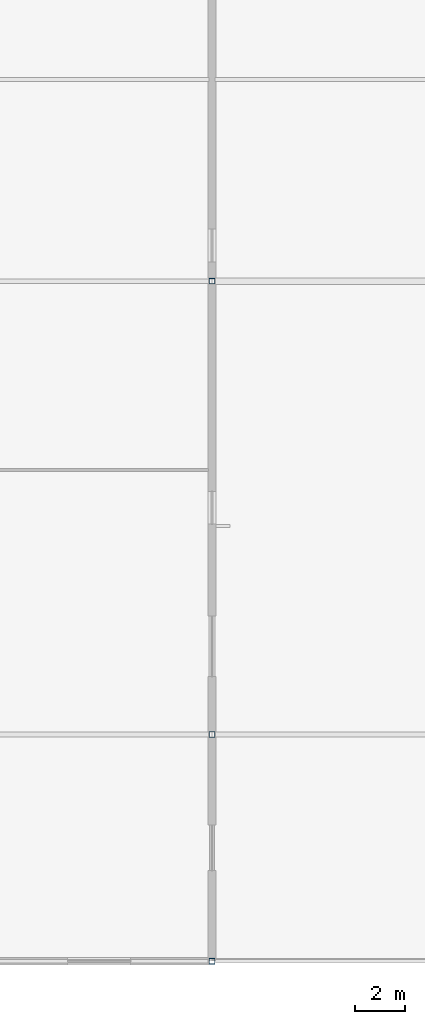
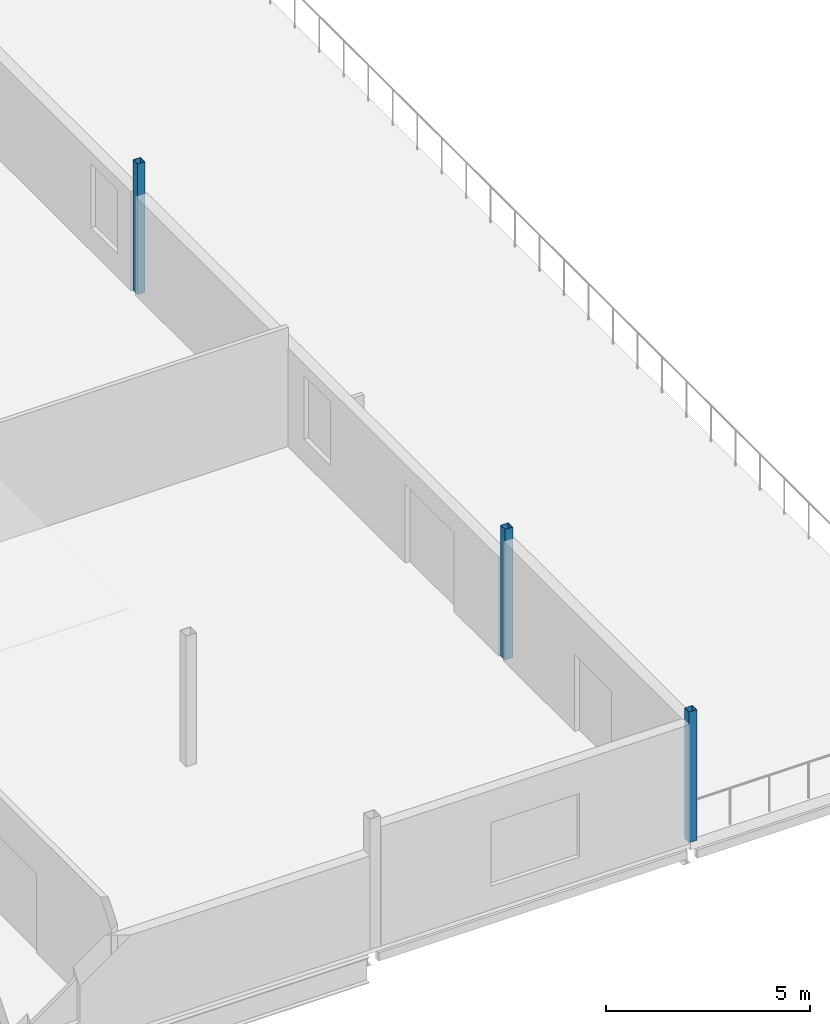
# One storey, part 3 of 55: 3 columns.
"""IFC4 building model written with IfcOpenShell, lengths in metres."""

from ifc_helpers import new_model, si_unit, direction, frame, origin, origin_2d, place, context, subcontext, project, spatial, hollow_rectangle, extrude, material, material_profile, profile_set, type_object, element, save


model = new_model("IFC4")

# Units and contexts
model_context = context("Model", 3, precision=1e-05, world=origin(), true_north=direction((0.0, 1.0)))
body_context = subcontext(model_context, "Body", "Model", "MODEL_VIEW")
ifc_project = project(units=[si_unit("LENGTHUNIT", "METRE"), si_unit("AREAUNIT", "SQUARE_METRE"), si_unit("VOLUMEUNIT", "CUBIC_METRE"), si_unit("PLANEANGLEUNIT", "RADIAN"), si_unit("MASSUNIT", "GRAM", prefix="KILO")], contexts=[model_context])

# Site, building, storey
site_placement = place(None, origin())
site = spatial("IfcSite", under=ifc_project, at=site_placement, CompositionType="ELEMENT")
building_placement = place(site_placement, origin())
building = spatial("IfcBuilding", under=site, at=building_placement, Name="Kisiwana Market Hall", CompositionType="ELEMENT")
storey_placement = place(building_placement, frame((0.0, 0.0, 37.800048828125)))
storey = spatial("IfcBuildingStorey", under=building, at=storey_placement, Name="L08", CompositionType="ELEMENT", Elevation=37.800048828125)

# Columns
ifc_material = material(Name="Steel S355", Category="steel")
ifc_material_profile = material_profile(ifc_material, hollow_rectangle(XDim=0.219970703125, YDim=0.219970703125, WallThickness=0.010009765625, at=origin_2d()), Name="SHS 220x220x10")
ifc_profile_set = profile_set([ifc_material_profile], Name="Steel S355")
column_type = type_object("IfcColumnType", Name="COL-STL-SHS220", PredefinedType="COLUMN", material=ifc_profile_set)
for number, where, z_axis, x_axis, name in (
    (1, (36.0, 9.0, 0.0), (0.0, 0.0, 1.0), (1.0, 0.0, 0.0), "Column B/5 (L08) C-1174"),
    (2, (36.0, 18.0, 0.0), (0.0, 0.0, 1.0), (1.0, 0.0, 0.0), "Column C/5 (L08) C-1175"),
    (3, (36.0, 36.0, 0.0), (0.0, 0.0, 1.0), (1.0, 0.0, 0.0), "Column E/5 (L08) C-1176"),
):
    element("IfcColumn", number, at=place(storey_placement, frame(where, z_axis=z_axis, x_axis=x_axis)), inside=storey, type_object=column_type, Name=name, PredefinedType="COLUMN", context=body_context, shape_type="SweptSolid", body=[
        extrude(hollow_rectangle(XDim=0.219970703125, YDim=0.219970703125, WallThickness=0.010009765625, at=origin_2d()), origin(), (0.0, 0.0, 1.0), 3.89990234375),
    ])

save(model, "model.ifc")
